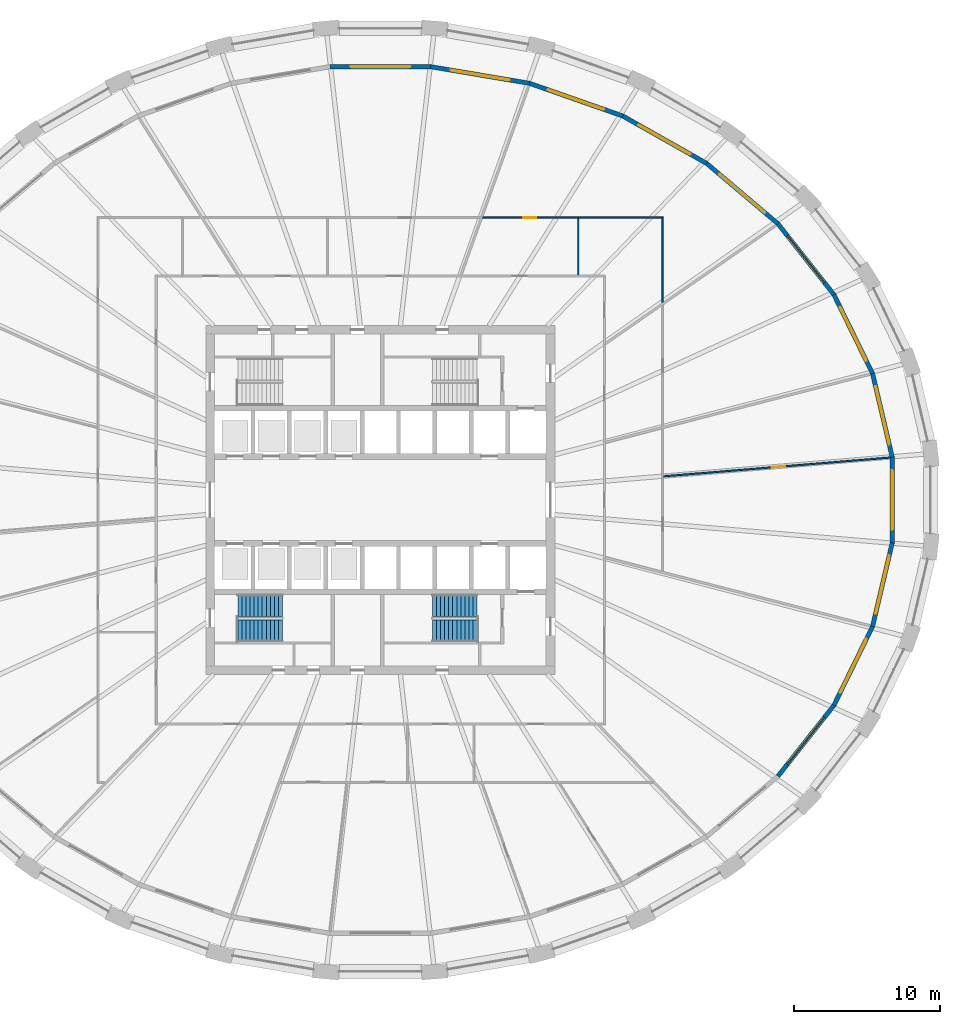
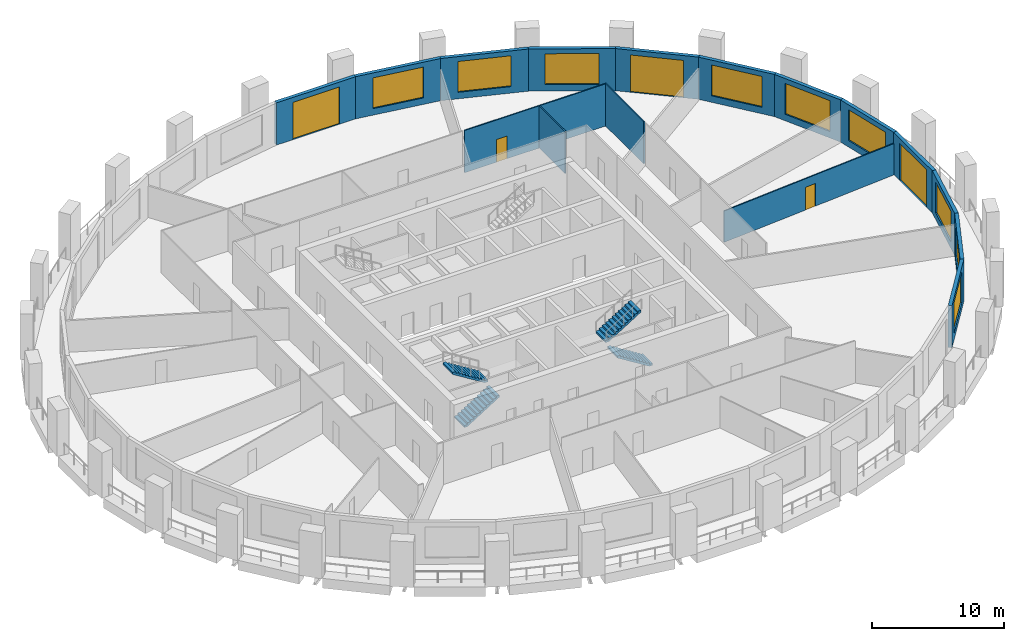
# One storey, part 8 of 12: 16 walls, 9 windows, 5 doors, 4 stair flights, 14 openings, 2 elements without a shape of their own.
"""IFC4 building model written with IfcOpenShell, lengths in metres."""

from ifc_helpers import new_model, si_unit, direction, frame, frame_2d, origin, place, context, subcontext, project, spatial, polyline, rectangle, outline, extrude, material, layer, layer_set, type_object, element, fill, aggregate, save


model = new_model("IFC4")

# Units and contexts
model_context = context("Model", 3, precision=1e-05, world=origin(), true_north=direction((0.0, 1.0)))
body_context = subcontext(model_context, "Body", "Model", "MODEL_VIEW")
ifc_project = project(units=[si_unit("LENGTHUNIT", "METRE"), si_unit("AREAUNIT", "SQUARE_METRE"), si_unit("VOLUMEUNIT", "CUBIC_METRE"), si_unit("PLANEANGLEUNIT", "RADIAN"), si_unit("MASSUNIT", "GRAM", prefix="KILO")], contexts=[model_context])

# Site, building, storey
site_placement = place(None, origin())
site = spatial("IfcSite", under=ifc_project, at=site_placement, CompositionType="ELEMENT")
building_placement = place(site_placement, origin())
building = spatial("IfcBuilding", under=site, at=building_placement, Name="Halqa Exchange Tower", CompositionType="ELEMENT")
storey_placement = place(building_placement, frame((0.0, 0.0, 27.699951171875)))
storey = spatial("IfcBuildingStorey", under=building, at=storey_placement, Name="L05", CompositionType="ELEMENT", Elevation=27.699951171875)

# Wall, opening, door
ifc_material_1 = material(Name="Gypsum board")
ifc_layer_1 = layer(ifc_material_1, 0.10009765625)
ifc_layer_set_1 = layer_set([ifc_layer_1], Name="Gypsum board")
wall_type_1 = type_object("IfcWallType", Name="Partition 100 gypsum", PredefinedType="PARTITIONING", material=ifc_layer_set_1)
wall_1_placement = place(storey_placement, frame((7.01806640625, 19.39990234375, 0.0), z_axis=(0.0, 0.0, 1.0), x_axis=(1.0, 0.0, 0.0)))
wall_1 = element("IfcWall", 1, at=wall_1_placement, inside=storey, type_object=wall_type_1, Name="L05-PWL-034", PredefinedType="PARTITIONING", context=body_context, shape_type="SweptSolid", body=[
    extrude(outline(polyline([(0.0, -0.050048828125), (1.633056640625, -0.050048828125), (3.265869140625, -0.050048828125), (4.89892578125, -0.050048828125), (6.531982421875, -0.050048828125), (6.531982421875, -0.0498046875), (6.6318359375, -0.0498046875), (6.6318359375, -0.050048828125), (8.531982421875, -0.050048828125), (10.431884765625, -0.050048828125), (12.331787109375, -0.050048828125), (12.33203125, -0.0498046875), (12.431884765625, 0.050048828125), (10.660888671875, 0.050048828125), (8.89013671875, 0.050048828125), (7.119140625, 0.050048828125), (5.348388671875, 0.050048828125), (3.577392578125, 0.050048828125), (1.806640625, 0.050048828125), (0.03564453125, 0.050048828125), (0.0, -0.04931640625), (0.0, -0.050048828125)])), origin(), (0.0, 0.0, 1.0), 3.900146484375),
])
opening_1_placement = place(wall_1_placement, frame((2.81201171875, 0.0, 0.0)))
opening_1 = element("IfcOpeningElement", 2, at=opening_1_placement, cuts=wall_1, Name="Opening 01-20", PredefinedType="OPENING", context=body_context, shape_type="SweptSolid", body=[
    extrude(rectangle(XDim=0.89990234375, YDim=2.10009765625, at=frame_2d((0.449951171875, 1.050048828125))), frame((0.0, 0.06201171875, 0.0), z_axis=(0.0, -1.0, 0.0), x_axis=(1.0, 0.0, 0.0)), (0.0, 0.0, 1.0), 0.1240234375),
])
ifc_material_2 = material(Name="Timber door leaf", Category="wood")
door_type_1 = type_object("IfcDoorType", Name="Door 900 x 2100", OperationType="SINGLE_SWING_LEFT", PredefinedType="DOOR", material=ifc_material_2)
door_1_placement = place(opening_1_placement, frame((0.89990234375, 0.0, 0.0), z_axis=(0.0, 0.0, 1.0), x_axis=(-1.0, 0.0, 0.0)))
door_1 = element("IfcDoor", 3, at=door_1_placement, inside=storey, type_object=door_type_1, Name="L05-IDR-020", OperationType="SINGLE_SWING_RIGHT", OverallHeight=2.10009765625, OverallWidth=0.89990234375, PredefinedType="DOOR", context=body_context, shape_type="SweptSolid", body=[
    extrude(rectangle(XDim=0.89990234375, YDim=2.10009765625, at=frame_2d((0.449951171875, 1.050048828125))), frame((0.0, 0.02490234375, 0.0), z_axis=(0.0, -1.0, 0.0), x_axis=(1.0, 0.0, 0.0)), (0.0, 0.0, 1.0), 0.050048828125),
])
fill(opening_1, door_1)

# Wall
wall_2_placement = place(storey_placement, frame((13.60009765625, 15.46044921875, 0.0), z_axis=(0.0, 0.0, 1.0), x_axis=(0.0, 1.0, 0.0)))
element("IfcWall", 4, at=wall_2_placement, inside=storey, type_object=wall_type_1, Name="L05-PWL-036", PredefinedType="PARTITIONING", context=body_context, shape_type="SweptSolid", body=[
    extrude(outline(polyline([(0.0, -0.050048828125), (1.94482421875, -0.050048828125), (3.8896484375, -0.050048828125), (3.8896484375, 0.050048828125), (1.9521484375, 0.050048828125), (0.0146484375, 0.050048828125), (0.0146484375, 0.0), (0.0, 0.0), (0.0, -0.050048828125)])), origin(), (0.0, 0.0, 1.0), 3.900146484375),
])

# Wall, opening, door
wall_3_placement = place(storey_placement, frame((19.4462890625, 1.623779296875, 0.0), z_axis=(0.0, 0.0, 1.0), x_axis=(0.996584208703, 0.082582776438, 0.0)))
wall_3 = element("IfcWall", 5, at=wall_3_placement, inside=storey, type_object=wall_type_1, Name="L05-PWL-045", PredefinedType="PARTITIONING", context=body_context, shape_type="SweptSolid", body=[
    extrude(outline(polyline([(15.633056640625, -0.050048828125), (15.633056640625, 0.03515625), (15.630859375, 0.050048828125), (13.677978515625, 0.050048828125), (11.72509765625, 0.050048828125), (9.772216796875, 0.050048828125), (7.8193359375, 0.050048828125), (5.866455078125, 0.050048828125), (3.91357421875, 0.050048828125), (1.960693359375, 0.050048828125), (0.0078125, 0.050048828125), (0.0, -0.044921875), (0.0, -0.050048828125), (1.9541015625, -0.050048828125), (3.908203125, -0.050048828125), (5.8623046875, -0.050048828125), (7.81640625, -0.050048828125), (9.770751953125, -0.050048828125), (11.724853515625, -0.050048828125), (13.678955078125, -0.050048828125), (15.633056640625, -0.050048828125)])), origin(), (0.0, 0.0, 1.0), 2.89208984375),
])
opening_2_placement = place(wall_3_placement, frame((7.495849609375, 0.0, 0.0)))
opening_2 = element("IfcOpeningElement", 6, at=opening_2_placement, cuts=wall_3, Name="Opening 01-18", PredefinedType="OPENING", context=body_context, shape_type="SweptSolid", body=[
    extrude(rectangle(XDim=0.89990234375, YDim=2.10009765625, at=frame_2d((0.449951171875, 1.050048828125))), frame((0.0, 0.06201171875, 0.0), z_axis=(0.0, -1.0, 0.0), x_axis=(1.0, 0.0, 0.0)), (0.0, 0.0, 1.0), 0.1240234375),
])
door_2_placement = place(opening_2_placement, origin())
door_2 = element("IfcDoor", 7, at=door_2_placement, inside=storey, type_object=door_type_1, Name="L05-IDR-018", OperationType="SINGLE_SWING_RIGHT", OverallHeight=2.10009765625, OverallWidth=0.89990234375, PredefinedType="DOOR", context=body_context, shape_type="SweptSolid", body=[
    extrude(rectangle(XDim=0.89990234375, YDim=2.10009765625, at=frame_2d((0.449951171875, 1.050048828125))), frame((0.0, 0.02490234375, 0.0), z_axis=(0.0, -1.0, 0.0), x_axis=(1.0, 0.0, 0.0)), (0.0, 0.0, 1.0), 0.050048828125),
])
fill(opening_2, door_2)

# Wall
wall_4_placement = place(storey_placement, frame((19.39990234375, 19.449951171875, 0.0), z_axis=(0.0, 0.0, 1.0), x_axis=(0.0, -1.0, 0.0)))
element("IfcWall", 8, at=wall_4_placement, inside=storey, type_object=wall_type_1, Name="L05-PWL-047", PredefinedType="PARTITIONING", context=body_context, shape_type="SweptSolid", body=[
    extrude(outline(polyline([(5.85986328125, 0.050048828125), (3.906494140625, 0.050048828125), (1.953369140625, 0.050048828125), (0.0, 0.050048828125), (0.10009765625, -0.050048828125), (2.02001953125, -0.050048828125), (3.93994140625, -0.050048828125), (5.85986328125, -0.050048828125), (5.85986328125, 0.050048828125)])), origin(), (0.0, 0.0, 1.0), 3.900146484375),
])

# Wall, opening, window
ifc_material_3 = material(Name="Limestone cladding", Category="masonry")
ifc_layer_2 = layer(ifc_material_3, 0.0400390625)
ifc_material_4 = material(Name="Ventilated cavity")
ifc_layer_3 = layer(ifc_material_4, 0.030029296875, ventilated=True)
ifc_material_5 = material(Name="Mineral wool insulation")
ifc_layer_4 = layer(ifc_material_5, 0.10009765625)
ifc_material_6 = material(Name="Concrete C30/37", Category="concrete")
ifc_layer_5 = layer(ifc_material_6, 0.10009765625)
ifc_material_7 = material(Name="Internal plaster")
ifc_layer_6 = layer(ifc_material_7, 0.030029296875)
ifc_layer_set_2 = layer_set([ifc_layer_2, ifc_layer_3, ifc_layer_4, ifc_layer_5, ifc_layer_6], Name="Stone-faced insulated wall 300")
wall_type_2 = type_object("IfcWallType", Name="Stone-faced insulated wall 300", PredefinedType="STANDARD", material=ifc_layer_set_2)
wall_5_placement = place(storey_placement, frame((35.180419921875, 2.935546875, 0.0), z_axis=(0.0, 0.0, 1.0), x_axis=(-0.228924296831, 0.973444228665, 0.0)))
wall_5 = element("IfcWall", 9, at=wall_5_placement, inside=storey, type_object=wall_type_2, Name="Glass-line wall 1", PredefinedType="STANDARD", context=body_context, shape_type="SweptSolid", body=[
    extrude(outline(polyline([(-0.017333984375, -0.14990234375), (5.931396484375, -0.14990234375), (5.897705078125, 0.14990234375), (0.017333984375, 0.14990234375), (-0.017333984375, -0.14990234375)])), origin(), (0.0, 0.0, 1.0), 3.900146484375),
])
opening_3_placement = place(wall_5_placement, frame((0.9072265625, 0.0, 0.60009765625)))
opening_3 = element("IfcOpeningElement", 10, at=opening_3_placement, cuts=wall_5, Name="Opening W-F1-01", PredefinedType="OPENING", context=body_context, shape_type="SweptSolid", body=[
    extrude(rectangle(XDim=4.10009765625, YDim=2.85009765625, at=frame_2d((2.050048828125, 1.425048828125))), frame((0.0, 0.162109375, 0.0), z_axis=(0.0, -1.0, 0.0), x_axis=(1.0, 0.0, 0.0)), (0.0, 0.0, 1.0), 0.323974609375),
])
ifc_material_8 = material(Name="Clear low-emissivity glass in aluminium frame", Category="aluminium")
window_type = type_object("IfcWindowType", Name="Fixed clear glazed window 4100 x 2850", PartitioningType="TRIPLE_PANEL_VERTICAL", PredefinedType="WINDOW", material=ifc_material_8)
window_1_placement = place(opening_3_placement, origin())
window_1 = element("IfcWindow", 11, at=window_1_placement, inside=storey, type_object=window_type, Name="Window 1", OverallHeight=2.85009765625, OverallWidth=4.10009765625, PartitioningType="TRIPLE_PANEL_VERTICAL", PredefinedType="WINDOW", context=body_context, shape_type="SweptSolid", body=[
    extrude(rectangle(XDim=4.10009765625, YDim=2.85009765625, at=frame_2d((2.050048828125, 1.425048828125))), frame((0.0, 0.030029296875, 0.0), z_axis=(0.0, -1.0, 0.0), x_axis=(1.0, 0.0, 0.0)), (0.0, 0.0, 1.0), 0.06005859375),
])
fill(opening_3, window_1)

wall_6_placement = place(storey_placement, frame((33.826416015625, 8.693115234375, 0.0), z_axis=(0.0, 0.0, 1.0), x_axis=(-0.439821516427, 0.898085204025, 0.0)))
wall_6 = element("IfcWall", 12, at=wall_6_placement, inside=storey, type_object=wall_type_2, Name="Glass-line wall 2", PredefinedType="STANDARD", context=body_context, shape_type="SweptSolid", body=[
    extrude(outline(polyline([(-0.016845703125, -0.14990234375), (6.052734375, -0.14990234375), (6.0205078125, 0.14990234375), (0.016845703125, 0.14990234375), (-0.016845703125, -0.14990234375)])), origin(), (0.0, 0.0, 1.0), 3.900146484375),
])
opening_4_placement = place(wall_6_placement, frame((0.968505859375, 0.0, 0.60009765625)))
opening_4 = element("IfcOpeningElement", 13, at=opening_4_placement, cuts=wall_6, Name="Opening W-F1-02", PredefinedType="OPENING", context=body_context, shape_type="SweptSolid", body=[
    extrude(rectangle(XDim=4.10009765625, YDim=2.85009765625, at=frame_2d((2.050048828125, 1.425048828125))), frame((0.0, 0.162109375, 0.0), z_axis=(0.0, -1.0, 0.0), x_axis=(1.0, 0.0, 0.0)), (0.0, 0.0, 1.0), 0.323974609375),
])
window_2_placement = place(opening_4_placement, origin())
window_2 = element("IfcWindow", 14, at=window_2_placement, inside=storey, type_object=window_type, Name="Window 1", OverallHeight=2.85009765625, OverallWidth=4.10009765625, PartitioningType="TRIPLE_PANEL_VERTICAL", PredefinedType="WINDOW", context=body_context, shape_type="SweptSolid", body=[
    extrude(rectangle(XDim=4.10009765625, YDim=2.85009765625, at=frame_2d((2.050048828125, 1.425048828125))), frame((0.0, 0.030029296875, 0.0), z_axis=(0.0, -1.0, 0.0), x_axis=(1.0, 0.0, 0.0)), (0.0, 0.0, 1.0), 0.06005859375),
])
fill(opening_4, window_2)

wall_7_placement = place(storey_placement, frame((31.17138671875, 14.114501953125, 0.0), z_axis=(0.0, 0.0, 1.0), x_axis=(-0.619902786528, 0.784678619089, 0.0)))
wall_7 = element("IfcWall", 15, at=wall_7_placement, inside=storey, type_object=wall_type_2, Name="Glass-line wall 3", PredefinedType="STANDARD", context=body_context, shape_type="SweptSolid", body=[
    extrude(outline(polyline([(-0.01611328125, -0.14990234375), (6.230712890625, -0.14990234375), (6.200439453125, 0.14990234375), (0.01611328125, 0.14990234375), (-0.01611328125, -0.14990234375)])), origin(), (0.0, 0.0, 1.0), 3.900146484375),
])
opening_5_placement = place(wall_7_placement, frame((1.0576171875, 0.0, 0.60009765625)))
opening_5 = element("IfcOpeningElement", 16, at=opening_5_placement, cuts=wall_7, Name="Opening W-F1-03", PredefinedType="OPENING", context=body_context, shape_type="SweptSolid", body=[
    extrude(rectangle(XDim=4.10009765625, YDim=2.85009765625, at=frame_2d((2.050048828125, 1.425048828125))), frame((0.0, 0.162109375, 0.0), z_axis=(0.0, -1.0, 0.0), x_axis=(1.0, 0.0, 0.0)), (0.0, 0.0, 1.0), 0.323974609375),
])
window_3_placement = place(opening_5_placement, origin())
window_3 = element("IfcWindow", 17, at=window_3_placement, inside=storey, type_object=window_type, Name="Window 1", OverallHeight=2.85009765625, OverallWidth=4.10009765625, PartitioningType="TRIPLE_PANEL_VERTICAL", PredefinedType="WINDOW", context=body_context, shape_type="SweptSolid", body=[
    extrude(rectangle(XDim=4.10009765625, YDim=2.85009765625, at=frame_2d((2.050048828125, 1.425048828125))), frame((0.0, 0.030029296875, 0.0), z_axis=(0.0, -1.0, 0.0), x_axis=(1.0, 0.0, 0.0)), (0.0, 0.0, 1.0), 0.06005859375),
])
fill(opening_5, window_3)

# Wall, opening, door
wall_8_placement = place(storey_placement, frame((27.318359375, 18.99169921875, 0.0), z_axis=(0.0, 0.0, 1.0), x_axis=(-0.763540615407, 0.645759807223, 0.0)))
wall_8 = element("IfcWall", 18, at=wall_8_placement, inside=storey, type_object=wall_type_2, Name="Glass-line wall 4", PredefinedType="STANDARD", context=body_context, shape_type="SweptSolid", body=[
    extrude(outline(polyline([(-0.01513671875, -0.14990234375), (6.433837890625, -0.14990234375), (6.405517578125, 0.14990234375), (0.01513671875, 0.14990234375), (-0.01513671875, -0.14990234375)])), origin(), (0.0, 0.0, 1.0), 3.900146484375),
])
opening_6_placement = place(wall_8_placement, frame((1.159912109375, 0.0, 0.0)))
opening_6 = element("IfcOpeningElement", 19, at=opening_6_placement, cuts=wall_8, Name="Opening LG-F1-01", PredefinedType="OPENING", context=body_context, shape_type="SweptSolid", body=[
    extrude(rectangle(XDim=4.10009765625, YDim=3.449951171875, at=frame_2d((2.050048828125, 1.72509765625))), frame((0.0, 0.162109375, 0.0), z_axis=(0.0, -1.0, 0.0), x_axis=(1.0, 0.0, 0.0)), (0.0, 0.0, 1.0), 0.323974609375),
])
door_type_2 = type_object("IfcDoorType", Name="Glazed sliding loggia door 4100 x 3450", OperationType="DOUBLE_DOOR_SLIDING", PredefinedType="DOOR", material=ifc_material_8)
door_3_placement = place(opening_6_placement, origin())
door_3 = element("IfcDoor", 20, at=door_3_placement, inside=storey, type_object=door_type_2, Name="Loggia door 1", OperationType="DOUBLE_DOOR_SLIDING", OverallHeight=3.449951171875, OverallWidth=4.10009765625, PredefinedType="DOOR", context=body_context, shape_type="SweptSolid", body=[
    extrude(rectangle(XDim=4.10009765625, YDim=3.449951171875, at=frame_2d((2.050048828125, 1.72509765625))), frame((0.0, 0.02490234375, 0.0), z_axis=(0.0, -1.0, 0.0), x_axis=(1.0, 0.0, 0.0)), (0.0, 0.0, 1.0), 0.050048828125),
])
fill(opening_6, door_3)

# Wall, opening, window
wall_9_placement = place(storey_placement, frame((22.416748046875, 23.13720703125, 0.0), z_axis=(0.0, 0.0, 1.0), x_axis=(-0.8705786416, 0.492029296678, 0.0)))
wall_9 = element("IfcWall", 21, at=wall_9_placement, inside=storey, type_object=wall_type_2, Name="Glass-line wall 5", PredefinedType="STANDARD", context=body_context, shape_type="SweptSolid", body=[
    extrude(outline(polyline([(-0.01416015625, -0.14990234375), (6.631103515625, -0.14990234375), (6.604248046875, 0.14990234375), (0.01416015625, 0.14990234375), (-0.01416015625, -0.14990234375)])), origin(), (0.0, 0.0, 1.0), 3.900146484375),
])
opening_7_placement = place(wall_9_placement, frame((1.2587890625, 0.0, 0.60009765625)))
opening_7 = element("IfcOpeningElement", 22, at=opening_7_placement, cuts=wall_9, Name="Opening W-F1-05", PredefinedType="OPENING", context=body_context, shape_type="SweptSolid", body=[
    extrude(rectangle(XDim=4.10009765625, YDim=2.85009765625, at=frame_2d((2.050048828125, 1.425048828125))), frame((0.0, 0.162109375, 0.0), z_axis=(0.0, -1.0, 0.0), x_axis=(1.0, 0.0, 0.0)), (0.0, 0.0, 1.0), 0.323974609375),
])
window_4_placement = place(opening_7_placement, origin())
window_4 = element("IfcWindow", 23, at=window_4_placement, inside=storey, type_object=window_type, Name="Window 1", OverallHeight=2.85009765625, OverallWidth=4.10009765625, PartitioningType="TRIPLE_PANEL_VERTICAL", PredefinedType="WINDOW", context=body_context, shape_type="SweptSolid", body=[
    extrude(rectangle(XDim=4.10009765625, YDim=2.85009765625, at=frame_2d((2.050048828125, 1.425048828125))), frame((0.0, 0.030029296875, 0.0), z_axis=(0.0, -1.0, 0.0), x_axis=(1.0, 0.0, 0.0)), (0.0, 0.0, 1.0), 0.06005859375),
])
fill(opening_7, window_4)

wall_10_placement = place(storey_placement, frame((16.655517578125, 26.393310546875, 0.0), z_axis=(0.0, 0.0, 1.0), x_axis=(-0.943767392455, 0.330610206947, 0.0)))
wall_10 = element("IfcWall", 24, at=wall_10_placement, inside=storey, type_object=wall_type_2, Name="Glass-line wall 6", PredefinedType="STANDARD", context=body_context, shape_type="SweptSolid", body=[
    extrude(outline(polyline([(-0.013427734375, -0.14990234375), (6.7939453125, -0.14990234375), (6.7685546875, 0.14990234375), (0.013427734375, 0.14990234375), (-0.013427734375, -0.14990234375)])), origin(), (0.0, 0.0, 1.0), 3.900146484375),
])
opening_8_placement = place(wall_10_placement, frame((1.340576171875, 0.0, 0.60009765625)))
opening_8 = element("IfcOpeningElement", 25, at=opening_8_placement, cuts=wall_10, Name="Opening W-F1-06", PredefinedType="OPENING", context=body_context, shape_type="SweptSolid", body=[
    extrude(rectangle(XDim=4.10009765625, YDim=2.85009765625, at=frame_2d((2.050048828125, 1.425048828125))), frame((0.0, 0.162109375, 0.0), z_axis=(0.0, -1.0, 0.0), x_axis=(1.0, 0.0, 0.0)), (0.0, 0.0, 1.0), 0.323974609375),
])
window_5_placement = place(opening_8_placement, origin())
window_5 = element("IfcWindow", 26, at=window_5_placement, inside=storey, type_object=window_type, Name="Window 1", OverallHeight=2.85009765625, OverallWidth=4.10009765625, PartitioningType="TRIPLE_PANEL_VERTICAL", PredefinedType="WINDOW", context=body_context, shape_type="SweptSolid", body=[
    extrude(rectangle(XDim=4.10009765625, YDim=2.85009765625, at=frame_2d((2.050048828125, 1.425048828125))), frame((0.0, 0.030029296875, 0.0), z_axis=(0.0, -1.0, 0.0), x_axis=(1.0, 0.0, 0.0)), (0.0, 0.0, 1.0), 0.06005859375),
])
fill(opening_8, window_5)

wall_11_placement = place(storey_placement, frame((10.255615234375, 28.63525390625, 0.0), z_axis=(0.0, 0.0, 1.0), x_axis=(-0.986141805867, 0.165904607291, 0.0)))
wall_11 = element("IfcWall", 27, at=wall_11_placement, inside=storey, type_object=wall_type_2, Name="Glass-line wall 7", PredefinedType="STANDARD", context=body_context, shape_type="SweptSolid", body=[
    extrude(outline(polyline([(-0.0126953125, -0.14990234375), (6.90087890625, -0.14990234375), (6.8759765625, 0.14990234375), (0.0126953125, 0.14990234375), (-0.0126953125, -0.14990234375)])), origin(), (0.0, 0.0, 1.0), 3.900146484375),
])
opening_9_placement = place(wall_11_placement, frame((1.39404296875, 0.0, 0.60009765625)))
opening_9 = element("IfcOpeningElement", 28, at=opening_9_placement, cuts=wall_11, Name="Opening W-F1-07", PredefinedType="OPENING", context=body_context, shape_type="SweptSolid", body=[
    extrude(rectangle(XDim=4.10009765625, YDim=2.85009765625, at=frame_2d((2.050048828125, 1.425048828125))), frame((0.0, 0.162109375, 0.0), z_axis=(0.0, -1.0, 0.0), x_axis=(1.0, 0.0, 0.0)), (0.0, 0.0, 1.0), 0.323974609375),
])
window_6_placement = place(opening_9_placement, origin())
window_6 = element("IfcWindow", 29, at=window_6_placement, inside=storey, type_object=window_type, Name="Window 1", OverallHeight=2.85009765625, OverallWidth=4.10009765625, PartitioningType="TRIPLE_PANEL_VERTICAL", PredefinedType="WINDOW", context=body_context, shape_type="SweptSolid", body=[
    extrude(rectangle(XDim=4.10009765625, YDim=2.85009765625, at=frame_2d((2.050048828125, 1.425048828125))), frame((0.0, 0.030029296875, 0.0), z_axis=(0.0, -1.0, 0.0), x_axis=(1.0, 0.0, 0.0)), (0.0, 0.0, 1.0), 0.06005859375),
])
fill(opening_9, window_6)

# Wall, opening, door
wall_12_placement = place(storey_placement, frame((3.462646484375, 29.778076171875, 0.0), z_axis=(0.0, 0.0, 1.0), x_axis=(-1.0, 0.0, 0.0)))
wall_12 = element("IfcWall", 30, at=wall_12_placement, inside=storey, type_object=wall_type_2, Name="Glass-line wall 8", PredefinedType="STANDARD", context=body_context, shape_type="SweptSolid", body=[
    extrude(outline(polyline([(-0.012451171875, -0.14990234375), (6.937744140625, -0.14990234375), (6.912841796875, 0.14990234375), (0.012451171875, 0.14990234375), (-0.012451171875, -0.14990234375)])), origin(), (0.0, 0.0, 1.0), 3.900146484375),
])
opening_10_placement = place(wall_12_placement, frame((1.41259765625, 0.0, 0.0)))
opening_10 = element("IfcOpeningElement", 31, at=opening_10_placement, cuts=wall_12, Name="Opening LG-F1-02", PredefinedType="OPENING", context=body_context, shape_type="SweptSolid", body=[
    extrude(rectangle(XDim=4.10009765625, YDim=3.449951171875, at=frame_2d((2.050048828125, 1.72509765625))), frame((0.0, 0.162109375, 0.0), z_axis=(0.0, -1.0, 0.0), x_axis=(1.0, 0.0, 0.0)), (0.0, 0.0, 1.0), 0.323974609375),
])
door_4_placement = place(opening_10_placement, origin())
door_4 = element("IfcDoor", 32, at=door_4_placement, inside=storey, type_object=door_type_2, Name="Loggia door 2", OperationType="DOUBLE_DOOR_SLIDING", OverallHeight=3.449951171875, OverallWidth=4.10009765625, PredefinedType="DOOR", context=body_context, shape_type="SweptSolid", body=[
    extrude(rectangle(XDim=4.10009765625, YDim=3.449951171875, at=frame_2d((2.050048828125, 1.72509765625))), frame((0.0, 0.02490234375, 0.0), z_axis=(0.0, -1.0, 0.0), x_axis=(1.0, 0.0, 0.0)), (0.0, 0.0, 1.0), 0.050048828125),
])
fill(opening_10, door_4)

# Wall, opening, window
wall_13_placement = place(storey_placement, frame((27.318359375, -18.99169921875, 0.0), z_axis=(0.0, 0.0, 1.0), x_axis=(0.619902786528, 0.784678619089, 0.0)))
wall_13 = element("IfcWall", 33, at=wall_13_placement, inside=storey, type_object=wall_type_2, Name="Glass-line wall 29", PredefinedType="STANDARD", context=body_context, shape_type="SweptSolid", body=[
    extrude(outline(polyline([(-0.01513671875, -0.14990234375), (6.231689453125, -0.14990234375), (6.199462890625, 0.14990234375), (0.01513671875, 0.14990234375), (-0.01513671875, -0.14990234375)])), origin(), (0.0, 0.0, 1.0), 3.900146484375),
])
opening_11_placement = place(wall_13_placement, frame((1.0576171875, 0.0, 0.60009765625)))
opening_11 = element("IfcOpeningElement", 34, at=opening_11_placement, cuts=wall_13, Name="Opening W-F1-29", PredefinedType="OPENING", context=body_context, shape_type="SweptSolid", body=[
    extrude(rectangle(XDim=4.10009765625, YDim=2.85009765625, at=frame_2d((2.050048828125, 1.425048828125))), frame((0.0, 0.162109375, 0.0), z_axis=(0.0, -1.0, 0.0), x_axis=(1.0, 0.0, 0.0)), (0.0, 0.0, 1.0), 0.323974609375),
])
window_7_placement = place(opening_11_placement, origin())
window_7 = element("IfcWindow", 35, at=window_7_placement, inside=storey, type_object=window_type, Name="Window 1", OverallHeight=2.85009765625, OverallWidth=4.10009765625, PartitioningType="TRIPLE_PANEL_VERTICAL", PredefinedType="WINDOW", context=body_context, shape_type="SweptSolid", body=[
    extrude(rectangle(XDim=4.10009765625, YDim=2.85009765625, at=frame_2d((2.050048828125, 1.425048828125))), frame((0.0, 0.030029296875, 0.0), z_axis=(0.0, -1.0, 0.0), x_axis=(1.0, 0.0, 0.0)), (0.0, 0.0, 1.0), 0.06005859375),
])
fill(opening_11, window_7)

wall_14_placement = place(storey_placement, frame((31.17138671875, -14.114501953125, 0.0), z_axis=(0.0, 0.0, 1.0), x_axis=(0.439821516427, 0.898085204025, 0.0)))
wall_14 = element("IfcWall", 36, at=wall_14_placement, inside=storey, type_object=wall_type_2, Name="Glass-line wall 30", PredefinedType="STANDARD", context=body_context, shape_type="SweptSolid", body=[
    extrude(outline(polyline([(-0.01611328125, -0.14990234375), (6.053466796875, -0.14990234375), (6.019775390625, 0.14990234375), (0.01611328125, 0.14990234375), (-0.01611328125, -0.14990234375)])), origin(), (0.0, 0.0, 1.0), 3.900146484375),
])
opening_12_placement = place(wall_14_placement, frame((0.968505859375, 0.0, 0.60009765625)))
opening_12 = element("IfcOpeningElement", 37, at=opening_12_placement, cuts=wall_14, Name="Opening W-F1-30", PredefinedType="OPENING", context=body_context, shape_type="SweptSolid", body=[
    extrude(rectangle(XDim=4.10009765625, YDim=2.85009765625, at=frame_2d((2.050048828125, 1.425048828125))), frame((0.0, 0.162109375, 0.0), z_axis=(0.0, -1.0, 0.0), x_axis=(1.0, 0.0, 0.0)), (0.0, 0.0, 1.0), 0.323974609375),
])
window_8_placement = place(opening_12_placement, origin())
window_8 = element("IfcWindow", 38, at=window_8_placement, inside=storey, type_object=window_type, Name="Window 1", OverallHeight=2.85009765625, OverallWidth=4.10009765625, PartitioningType="TRIPLE_PANEL_VERTICAL", PredefinedType="WINDOW", context=body_context, shape_type="SweptSolid", body=[
    extrude(rectangle(XDim=4.10009765625, YDim=2.85009765625, at=frame_2d((2.050048828125, 1.425048828125))), frame((0.0, 0.030029296875, 0.0), z_axis=(0.0, -1.0, 0.0), x_axis=(1.0, 0.0, 0.0)), (0.0, 0.0, 1.0), 0.06005859375),
])
fill(opening_12, window_8)

wall_15_placement = place(storey_placement, frame((33.826416015625, -8.693115234375, 0.0), z_axis=(0.0, 0.0, 1.0), x_axis=(0.228924296831, 0.973444228665, 0.0)))
wall_15 = element("IfcWall", 39, at=wall_15_placement, inside=storey, type_object=wall_type_2, Name="Glass-line wall 31", PredefinedType="STANDARD", context=body_context, shape_type="SweptSolid", body=[
    extrude(outline(polyline([(-0.016845703125, -0.14990234375), (5.931884765625, -0.14990234375), (5.897216796875, 0.14990234375), (0.016845703125, 0.14990234375), (-0.016845703125, -0.14990234375)])), origin(), (0.0, 0.0, 1.0), 3.900146484375),
])
opening_13_placement = place(wall_15_placement, frame((0.9072265625, 0.0, 0.60009765625)))
opening_13 = element("IfcOpeningElement", 40, at=opening_13_placement, cuts=wall_15, Name="Opening W-F1-31", PredefinedType="OPENING", context=body_context, shape_type="SweptSolid", body=[
    extrude(rectangle(XDim=4.10009765625, YDim=2.85009765625, at=frame_2d((2.050048828125, 1.425048828125))), frame((0.0, 0.162109375, 0.0), z_axis=(0.0, -1.0, 0.0), x_axis=(1.0, 0.0, 0.0)), (0.0, 0.0, 1.0), 0.323974609375),
])
window_9_placement = place(opening_13_placement, origin())
window_9 = element("IfcWindow", 41, at=window_9_placement, inside=storey, type_object=window_type, Name="Window 1", OverallHeight=2.85009765625, OverallWidth=4.10009765625, PartitioningType="TRIPLE_PANEL_VERTICAL", PredefinedType="WINDOW", context=body_context, shape_type="SweptSolid", body=[
    extrude(rectangle(XDim=4.10009765625, YDim=2.85009765625, at=frame_2d((2.050048828125, 1.425048828125))), frame((0.0, 0.030029296875, 0.0), z_axis=(0.0, -1.0, 0.0), x_axis=(1.0, 0.0, 0.0)), (0.0, 0.0, 1.0), 0.06005859375),
])
fill(opening_13, window_9)

# Wall, opening, door
wall_16_placement = place(storey_placement, frame((35.180419921875, -2.935546875, 0.0), z_axis=(0.0, 0.0, 1.0), x_axis=(0.0, 1.0, 0.0)))
wall_16 = element("IfcWall", 42, at=wall_16_placement, inside=storey, type_object=wall_type_2, Name="Glass-line wall 32", PredefinedType="STANDARD", context=body_context, shape_type="SweptSolid", body=[
    extrude(outline(polyline([(-0.017333984375, -0.14990234375), (5.888427734375, -0.14990234375), (5.853759765625, 0.14990234375), (0.017333984375, 0.14990234375), (-0.017333984375, -0.14990234375)])), origin(), (0.0, 0.0, 1.0), 3.900146484375),
])
opening_14_placement = place(wall_16_placement, frame((0.885498046875, 0.0, 0.0)))
opening_14 = element("IfcOpeningElement", 43, at=opening_14_placement, cuts=wall_16, Name="Opening LG-F1-08", PredefinedType="OPENING", context=body_context, shape_type="SweptSolid", body=[
    extrude(rectangle(XDim=4.10009765625, YDim=3.449951171875, at=frame_2d((2.050048828125, 1.72509765625))), frame((0.0, 0.162109375, 0.0), z_axis=(0.0, -1.0, 0.0), x_axis=(1.0, 0.0, 0.0)), (0.0, 0.0, 1.0), 0.323974609375),
])
door_5_placement = place(opening_14_placement, origin())
door_5 = element("IfcDoor", 44, at=door_5_placement, inside=storey, type_object=door_type_2, Name="Loggia door 8", OperationType="DOUBLE_DOOR_SLIDING", OverallHeight=3.449951171875, OverallWidth=4.10009765625, PredefinedType="DOOR", context=body_context, shape_type="SweptSolid", body=[
    extrude(rectangle(XDim=4.10009765625, YDim=3.449951171875, at=frame_2d((2.050048828125, 1.72509765625))), frame((0.0, 0.02490234375, 0.0), z_axis=(0.0, -1.0, 0.0), x_axis=(1.0, 0.0, 0.0)), (0.0, 0.0, 1.0), 0.050048828125),
])
fill(opening_14, door_5)

# Stair, stair flights
stair_type = type_object("IfcStairType", Name="Exit stair 1500 wide", PredefinedType="HALF_TURN_STAIR", material=ifc_material_6)
stair_1_placement = place(storey_placement, origin())
stair_1 = element("IfcStair", 45, at=stair_1_placement, inside=storey, type_object=stair_type, Name="Exit stair ST3", PredefinedType="HALF_TURN_STAIR")
stair_flight_type = type_object("IfcStairFlightType", Name="Stair flight 1500 wide", PredefinedType="STRAIGHT", material=ifc_material_6)
stair_flight_1_placement = place(storey_placement, frame((-9.800048828125, -9.0, 0.0), z_axis=(0.0, 0.0, 1.0), x_axis=(1.0, 0.0, 0.0)))
stair_flight_1 = element("IfcStairFlight", 46, at=stair_flight_1_placement, type_object=stair_flight_type, Name="ST3 flight 1", NumberOfRisers=12, NumberOfTreads=11, PredefinedType="STRAIGHT", RiserHeight=0.175, TreadLength=0.28, context=body_context, shape_type="SweptSolid", body=[
    extrude(outline(polyline([(0.0, 0.0), (0.0, 0.175048828125), (0.280029296875, 0.175048828125), (0.280029296875, 0.35009765625), (0.56005859375, 0.35009765625), (0.56005859375, 0.52490234375), (0.840087890625, 0.52490234375), (0.840087890625, 0.699951171875), (1.1201171875, 0.699951171875), (1.1201171875, 0.875), (1.39990234375, 0.875), (1.39990234375, 1.050048828125), (1.679931640625, 1.050048828125), (1.679931640625, 1.22509765625), (1.9599609375, 1.22509765625), (1.9599609375, 1.39990234375), (2.239990234375, 1.39990234375), (2.239990234375, 1.574951171875), (2.52001953125, 1.574951171875), (2.52001953125, 1.75), (2.800048828125, 1.75), (2.800048828125, 1.925048828125), (3.080078125, 1.925048828125), (3.080078125, 2.10009765625), (3.080078125, 1.748291015625), (0.28271484375, 0.0), (0.0, 0.0)])), frame((0.0, 0.75, 0.0), z_axis=(0.0, -1.0, 0.0), x_axis=(1.0, 0.0, 0.0)), (0.0, 0.0, 1.0), 1.5),
])
stair_flight_2_placement = place(storey_placement, frame((-6.719970703125, -7.25, 2.10009765625), z_axis=(0.0, 0.0, 1.0), x_axis=(-1.0, 0.0, 0.0)))
stair_flight_2 = element("IfcStairFlight", 47, at=stair_flight_2_placement, type_object=stair_flight_type, Name="ST3 flight 2", NumberOfRisers=12, NumberOfTreads=11, PredefinedType="STRAIGHT", RiserHeight=0.175, TreadLength=0.28, context=body_context, shape_type="SweptSolid", body=[
    extrude(outline(polyline([(0.0, 0.0), (0.0, 0.175048828125), (0.280029296875, 0.175048828125), (0.280029296875, 0.35009765625), (0.56005859375, 0.35009765625), (0.56005859375, 0.52490234375), (0.840087890625, 0.52490234375), (0.840087890625, 0.699951171875), (1.1201171875, 0.699951171875), (1.1201171875, 0.875), (1.39990234375, 0.875), (1.39990234375, 1.050048828125), (1.679931640625, 1.050048828125), (1.679931640625, 1.22509765625), (1.9599609375, 1.22509765625), (1.9599609375, 1.39990234375), (2.239990234375, 1.39990234375), (2.239990234375, 1.574951171875), (2.52001953125, 1.574951171875), (2.52001953125, 1.75), (2.800048828125, 1.75), (2.800048828125, 1.925048828125), (3.080078125, 1.925048828125), (3.080078125, 2.10009765625), (3.080078125, 1.748291015625), (0.28271484375, 0.0), (0.0, 0.0)])), frame((0.0, 0.75, 0.0), z_axis=(0.0, -1.0, 0.0), x_axis=(1.0, 0.0, 0.0)), (0.0, 0.0, 1.0), 1.5),
])
aggregate(stair_1, [stair_flight_1, stair_flight_2])

stair_2_placement = place(storey_placement, origin())
stair_2 = element("IfcStair", 48, at=stair_2_placement, inside=storey, type_object=stair_type, Name="Exit stair ST4", PredefinedType="HALF_TURN_STAIR")
stair_flight_3_placement = place(storey_placement, frame((6.64990234375, -9.0, 0.0), z_axis=(0.0, 0.0, 1.0), x_axis=(-1.0, 0.0, 0.0)))
stair_flight_3 = element("IfcStairFlight", 49, at=stair_flight_3_placement, type_object=stair_flight_type, Name="ST4 flight 1", NumberOfRisers=12, NumberOfTreads=11, PredefinedType="STRAIGHT", RiserHeight=0.175, TreadLength=0.28, context=body_context, shape_type="SweptSolid", body=[
    extrude(outline(polyline([(0.0, 0.0), (0.0, 0.175048828125), (0.280029296875, 0.175048828125), (0.280029296875, 0.35009765625), (0.56005859375, 0.35009765625), (0.56005859375, 0.52490234375), (0.840087890625, 0.52490234375), (0.840087890625, 0.699951171875), (1.1201171875, 0.699951171875), (1.1201171875, 0.875), (1.39990234375, 0.875), (1.39990234375, 1.050048828125), (1.679931640625, 1.050048828125), (1.679931640625, 1.22509765625), (1.9599609375, 1.22509765625), (1.9599609375, 1.39990234375), (2.239990234375, 1.39990234375), (2.239990234375, 1.574951171875), (2.52001953125, 1.574951171875), (2.52001953125, 1.75), (2.800048828125, 1.75), (2.800048828125, 1.925048828125), (3.080078125, 1.925048828125), (3.080078125, 2.10009765625), (3.080078125, 1.748291015625), (0.28271484375, 0.0), (0.0, 0.0)])), frame((0.0, 0.75, 0.0), z_axis=(0.0, -1.0, 0.0), x_axis=(1.0, 0.0, 0.0)), (0.0, 0.0, 1.0), 1.5),
])
stair_flight_4_placement = place(storey_placement, frame((3.570068359375, -7.25, 2.10009765625), z_axis=(0.0, 0.0, 1.0), x_axis=(1.0, 0.0, 0.0)))
stair_flight_4 = element("IfcStairFlight", 50, at=stair_flight_4_placement, type_object=stair_flight_type, Name="ST4 flight 2", NumberOfRisers=12, NumberOfTreads=11, PredefinedType="STRAIGHT", RiserHeight=0.175, TreadLength=0.28, context=body_context, shape_type="SweptSolid", body=[
    extrude(outline(polyline([(0.0, 0.0), (0.0, 0.175048828125), (0.280029296875, 0.175048828125), (0.280029296875, 0.35009765625), (0.56005859375, 0.35009765625), (0.56005859375, 0.52490234375), (0.840087890625, 0.52490234375), (0.840087890625, 0.699951171875), (1.1201171875, 0.699951171875), (1.1201171875, 0.875), (1.39990234375, 0.875), (1.39990234375, 1.050048828125), (1.679931640625, 1.050048828125), (1.679931640625, 1.22509765625), (1.9599609375, 1.22509765625), (1.9599609375, 1.39990234375), (2.239990234375, 1.39990234375), (2.239990234375, 1.574951171875), (2.52001953125, 1.574951171875), (2.52001953125, 1.75), (2.800048828125, 1.75), (2.800048828125, 1.925048828125), (3.080078125, 1.925048828125), (3.080078125, 2.10009765625), (3.080078125, 1.748291015625), (0.28271484375, 0.0), (0.0, 0.0)])), frame((0.0, 0.75, 0.0), z_axis=(0.0, -1.0, 0.0), x_axis=(1.0, 0.0, 0.0)), (0.0, 0.0, 1.0), 1.5),
])
aggregate(stair_2, [stair_flight_3, stair_flight_4])

save(model, "model.ifc")
